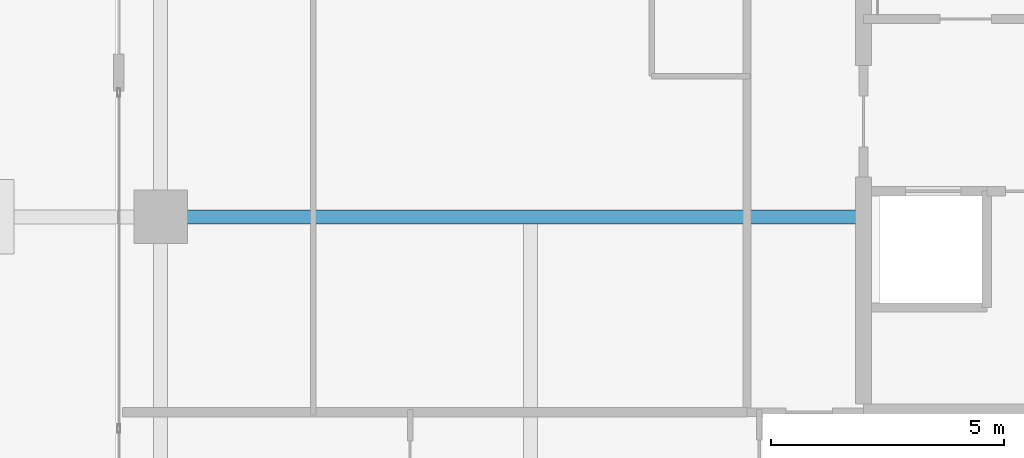
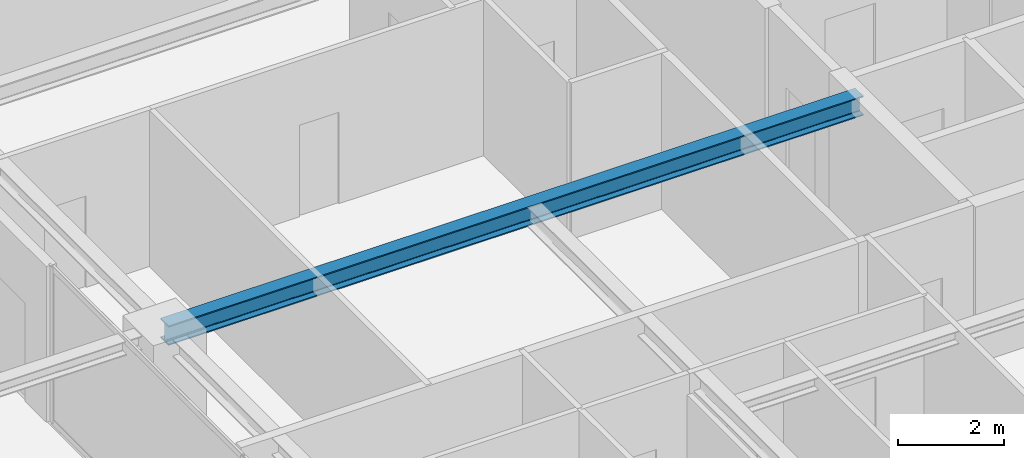
# One storey, part 8 of 35: 1 beam.
"""IFC4 building model written with IfcOpenShell, lengths in metres."""

from ifc_helpers import new_model, si_unit, direction, frame, origin, origin_2d, place, context, subcontext, project, spatial, i_section, extrude, source, transform, mapped, material, material_profile, profile_set, type_object, element, save


model = new_model("IFC4")

# Units and contexts
model_context = context("Model", 3, precision=1e-05, world=origin(), true_north=direction((0.0, 1.0)))
body_context = subcontext(model_context, "Body", "Model", "MODEL_VIEW")
ifc_project = project(units=[si_unit("LENGTHUNIT", "METRE"), si_unit("AREAUNIT", "SQUARE_METRE"), si_unit("VOLUMEUNIT", "CUBIC_METRE"), si_unit("PLANEANGLEUNIT", "RADIAN"), si_unit("MASSUNIT", "GRAM", prefix="KILO")], contexts=[model_context])

# Site, building, storey
site_placement = place(None, origin())
site = spatial("IfcSite", under=ifc_project, at=site_placement, CompositionType="ELEMENT")
building_placement = place(site_placement, origin())
building = spatial("IfcBuilding", under=site, at=building_placement, Name="Serunith Strait Residences", CompositionType="ELEMENT")
storey_placement = place(building_placement, frame((0.0, 0.0, 210.449951171875)))
storey = spatial("IfcBuildingStorey", under=building, at=storey_placement, Name="L52", CompositionType="ELEMENT", Elevation=210.449951171875)

# Beam
ifc_material = material(Name="Steel S355J2", Category="steel")
ifc_material_profile = material_profile(ifc_material, i_section(OverallWidth=0.300048828125, OverallDepth=0.449951171875, WebThickness=0.013916015625, FlangeThickness=0.02587890625, FilletRadius=0.027099609375, at=origin_2d()), Name="HEB 450")
ifc_profile_set = profile_set([ifc_material_profile], Name="Steel S355J2")
beam_type = type_object("IfcBeamType", Name="BM-HEB450", PredefinedType="BEAM", material=ifc_profile_set)
shared_shape = source(origin(), body_context, "Body", "SweptSolid", [
    extrude(i_section(OverallWidth=0.300048828125, OverallDepth=0.449951171875, WebThickness=0.013916015625, FlangeThickness=0.02587890625, FilletRadius=0.027099609375, at=origin_2d()), origin(), (0.0, 0.0, 1.0), 15.099853515625),
])
beam_placement = place(storey_placement, frame((23.39990234375, 21.0, 3.362060546875), z_axis=(-1.0, 0.0, 0.0), x_axis=(0.0, -1.0, 0.0)))
element("IfcBeam", 1, at=beam_placement, inside=storey, type_object=beam_type, Name="L52 Primary Floor Girder TC-W2", PredefinedType="BEAM", context=body_context, shape_type="MappedRepresentation", body=[
    mapped(shared_shape, transform((0.0, 0.0, 0.0), scale=1.0)),
])

save(model, "model.ifc")
